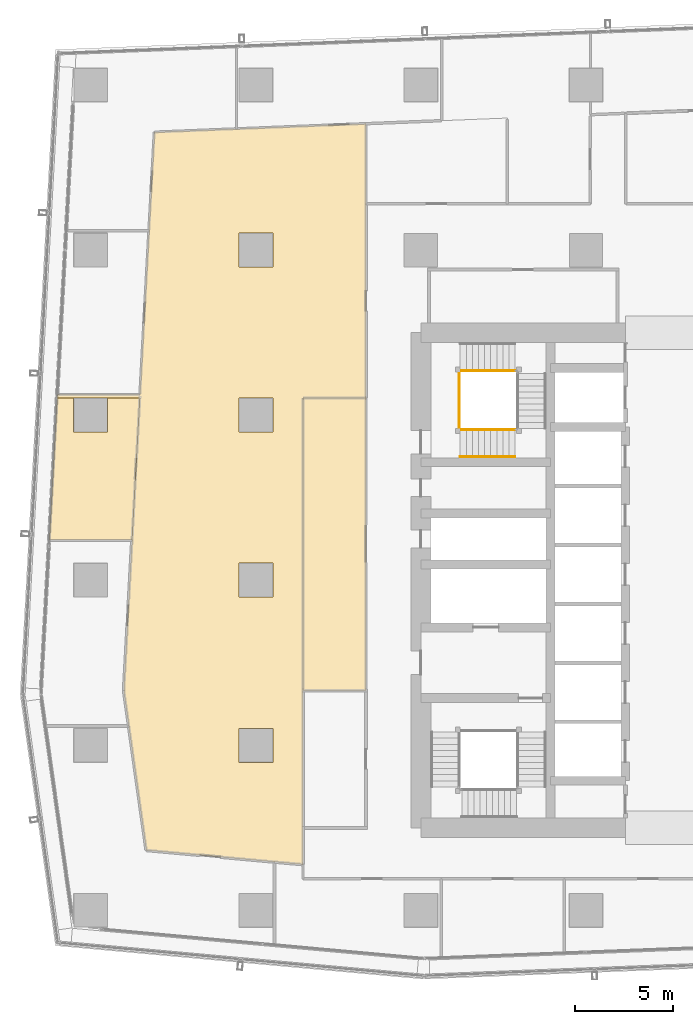
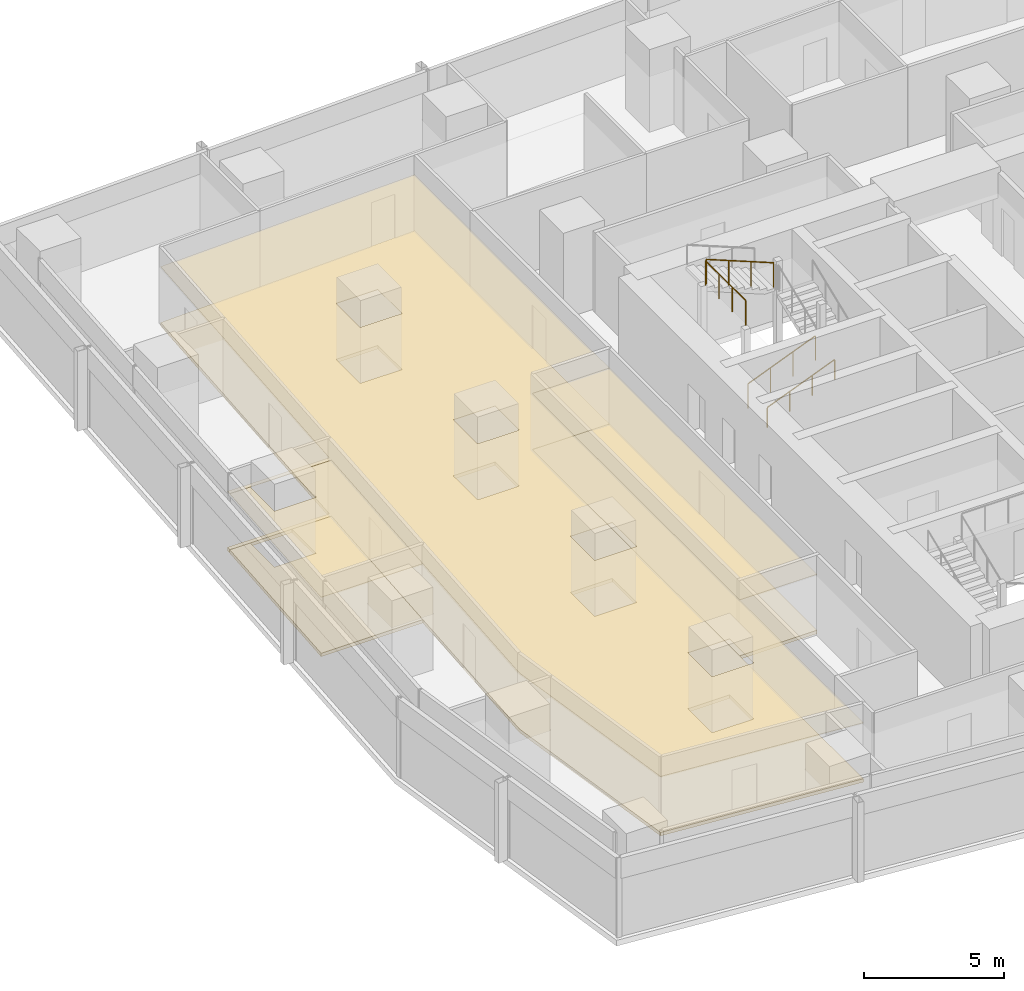
# One storey, part 35 of 40: 6 coverings, 4 railings.
"""IFC4 building model written with IfcOpenShell, lengths in metres."""

from ifc_helpers import new_model, si_unit, direction, frame, origin, origin_2d, place, context, subcontext, project, spatial, polyline, circle, outline, extrude, material, layer, layer_set, type_object, element, save


model = new_model("IFC4")

# Units and contexts
model_context = context("Model", 3, precision=1e-05, world=origin(), true_north=direction((0.0, 1.0)))
body_context = subcontext(model_context, "Body", "Model", "MODEL_VIEW")
ifc_project = project(units=[si_unit("LENGTHUNIT", "METRE"), si_unit("AREAUNIT", "SQUARE_METRE"), si_unit("VOLUMEUNIT", "CUBIC_METRE"), si_unit("PLANEANGLEUNIT", "RADIAN"), si_unit("MASSUNIT", "GRAM", prefix="KILO")], contexts=[model_context])

# Site, building, storey
site_placement = place(None, origin())
site = spatial("IfcSite", under=ifc_project, at=site_placement, CompositionType="ELEMENT")
building_placement = place(site_placement, origin())
building = spatial("IfcBuilding", under=site, at=building_placement, Name="Rekha Terrace Tower", CompositionType="ELEMENT")
storey_placement = place(building_placement, frame((0.0, 0.0, 121.550048828125)))
storey = spatial("IfcBuildingStorey", under=building, at=storey_placement, Name="L30", CompositionType="ELEMENT", Elevation=121.550048828125)

# Coverings
ifc_material_1 = material(Name="Mineral fibre tile in exposed grid", Category="finish")
ifc_layer_1 = layer(ifc_material_1, 0.02001953125)
ifc_layer_set_1 = layer_set([ifc_layer_1], Name="Mineral fibre tile in exposed grid")
covering_type_1 = type_object("IfcCoveringType", Name="CL1 600x1200 office grid ceiling", PredefinedType="CEILING", material=ifc_layer_set_1)
covering_1_placement = place(storey_placement, frame((0.0, 0.0, 2.579833984375)))
element("IfcCovering", 1, at=covering_1_placement, inside=storey, type_object=covering_type_1, Name="Ceiling L30-O1c", PredefinedType="CEILING", context=body_context, shape_type="SweptSolid", body=[
    extrude(outline(polyline([(10.080078125, 27.992919921875), (10.3359375, 26.177001953125), (11.22607421875, 19.862060546875), (17.7529296875, 19.26904296875), (19.199951171875, 19.137939453125), (19.199951171875, 42.873046875), (22.39990234375, 42.873046875), (22.39990234375, 56.830078125), (15.799072265625, 56.56494140625), (11.637939453125, 56.39794921875), (11.362060546875, 51.3779296875), (10.905029296875, 43.0458984375), (6.698974609375, 43.0458984375), (6.68994140625, 42.873046875), (10.89599609375, 42.873046875), (10.4990234375, 35.634033203125), (10.080078125, 27.992919921875)]), holes=[polyline([(17.6650390625, 26.06494140625), (17.6650390625, 24.3349609375), (15.93505859375, 24.3349609375), (15.93505859375, 26.06494140625), (17.6650390625, 26.06494140625)]), polyline([(17.6650390625, 34.465087890625), (17.6650390625, 32.735107421875), (15.93505859375, 32.735107421875), (15.93505859375, 34.465087890625), (17.6650390625, 34.465087890625)]), polyline([(17.6650390625, 41.135009765625), (15.93505859375, 41.135009765625), (15.93505859375, 42.864990234375), (17.6650390625, 42.864990234375), (17.6650390625, 41.135009765625)]), polyline([(17.6650390625, 49.534912109375), (15.93505859375, 49.534912109375), (15.93505859375, 51.264892578125), (17.6650390625, 51.264892578125), (17.6650390625, 49.534912109375)])]), origin(), (0.0, 0.0, 1.0), 0.02001953125),
])
covering_2_placement = place(storey_placement, frame((0.0, 0.0, 2.579833984375)))
element("IfcCovering", 2, at=covering_2_placement, inside=storey, type_object=covering_type_1, Name="Ceiling L30-19", PredefinedType="CEILING", context=body_context, shape_type="SweptSolid", body=[
    extrude(outline(polyline([(9.264892578125, 41.135009765625), (7.534912109375, 41.135009765625), (7.534912109375, 42.8720703125), (6.68994140625, 42.8720703125), (6.29296875, 35.635009765625), (10.4990234375, 35.635009765625), (10.89599609375, 42.8720703125), (9.264892578125, 42.8720703125), (9.264892578125, 41.135009765625)])), origin(), (0.0, 0.0, 1.0), 0.02001953125),
])
covering_3_placement = place(storey_placement, frame((0.0, 0.0, 2.579833984375)))
element("IfcCovering", 3, at=covering_3_placement, inside=storey, type_object=covering_type_1, Name="Ceiling L30-25", PredefinedType="CEILING", context=body_context, shape_type="SweptSolid", body=[
    extrude(outline(polyline([(19.199951171875, 42.8720703125), (19.199951171875, 28.0), (22.39990234375, 28.0), (22.39990234375, 42.8720703125), (19.199951171875, 42.8720703125)])), origin(), (0.0, 0.0, 1.0), 0.02001953125),
])

# Railings
ifc_material_2 = material(Name="Stainless steel balustrade", Category="steel")
railing_type_1 = type_object("IfcRailingType", Name="GR1 1100 stair guard", PredefinedType="GUARDRAIL", material=ifc_material_2)
railing_1_placement = place(storey_placement, frame((27.199951171875, 41.264892578125, 0.125)))
element("IfcRailing", 4, at=railing_1_placement, inside=storey, type_object=railing_type_1, Name="Guard ST4 L30 flight 1", PredefinedType="GUARDRAIL", context=body_context, shape_type="SweptSolid", body=[
    extrude(circle(Radius=0.02392578125, at=origin_2d()), frame((0.0, 0.0, 1.076171875), z_axis=(0.927443287984, 0.0, 0.373963831907), x_axis=(0.0, 1.0, 0.0)), (0.0, 0.0, 1.0), 3.00830078125),
    extrude(circle(Radius=0.02099609375, at=origin_2d()), origin(), (0.0, 0.0, 1.0), 1.052001953125),
    extrude(circle(Radius=0.02099609375, at=origin_2d()), frame((0.929931640625, 0.0, 0.375)), (0.0, 0.0, 1.0), 1.052001953125),
    extrude(circle(Radius=0.02099609375, at=origin_2d()), frame((1.860107421875, 0.0, 0.75)), (0.0, 0.0, 1.0), 1.052001953125),
    extrude(circle(Radius=0.02099609375, at=origin_2d()), frame((2.7900390625, 0.0, 1.125)), (0.0, 0.0, 1.0), 1.052001953125),
])
railing_2_placement = place(storey_placement, frame((29.989990234375, 44.260009765625, 2.625)))
element("IfcRailing", 5, at=railing_2_placement, inside=storey, type_object=railing_type_1, Name="Guard ST4 L30 flight 3", PredefinedType="GUARDRAIL", context=body_context, shape_type="SweptSolid", body=[
    extrude(circle(Radius=0.02392578125, at=origin_2d()), frame((0.0, 0.0, 1.076171875), z_axis=(-0.927443287984, 0.0, 0.373963831907), x_axis=(0.0, -1.0, 0.0)), (0.0, 0.0, 1.0), 3.00830078125),
    extrude(circle(Radius=0.02099609375, at=origin_2d()), origin(), (0.0, 0.0, 1.0), 1.052001953125),
    extrude(circle(Radius=0.02099609375, at=origin_2d()), frame((-0.929931640625, 0.0, 0.375)), (0.0, 0.0, 1.0), 1.052001953125),
    extrude(circle(Radius=0.02099609375, at=origin_2d()), frame((-1.860107421875, 0.0, 0.75)), (0.0, 0.0, 1.0), 1.052001953125),
    extrude(circle(Radius=0.02099609375, at=origin_2d()), frame((-2.7900390625, 0.0, 1.125)), (0.0, 0.0, 1.0), 1.052001953125),
])
railing_3_placement = place(storey_placement, frame((27.139892578125, 41.324951171875, 3.75)))
element("IfcRailing", 6, at=railing_3_placement, inside=storey, type_object=railing_type_1, Name="Guard ST4 L30 landing 4", PredefinedType="GUARDRAIL", context=body_context, shape_type="SweptSolid", body=[
    extrude(circle(Radius=0.02392578125, at=origin_2d()), frame((0.0, 0.0, 1.076171875), z_axis=(0.0, 1.0, 0.0), x_axis=(-1.0, 0.0, 0.0)), (0.0, 0.0, 1.0), 2.875),
    extrude(circle(Radius=0.02099609375, at=origin_2d()), origin(), (0.0, 0.0, 1.0), 1.052001953125),
    extrude(circle(Radius=0.02099609375, at=origin_2d()), frame((0.0, 0.958251953125, 0.0)), (0.0, 0.0, 1.0), 1.052001953125),
    extrude(circle(Radius=0.02099609375, at=origin_2d()), frame((0.0, 1.916748046875, 0.0)), (0.0, 0.0, 1.0), 1.052001953125),
    extrude(circle(Radius=0.02099609375, at=origin_2d()), frame((0.0, 2.875, 0.0)), (0.0, 0.0, 1.0), 1.052001953125),
])
ifc_material_3 = material(Name="Stainless steel tube", Category="steel")
railing_type_2 = type_object("IfcRailingType", Name="HR1 900 stair handrail", PredefinedType="HANDRAIL", material=ifc_material_3)
railing_4_placement = place(storey_placement, frame((27.199951171875, 39.885009765625, 0.125)))
element("IfcRailing", 7, at=railing_4_placement, inside=storey, type_object=railing_type_2, Name="Handrail ST4 L30 flight 1", PredefinedType="HANDRAIL", context=body_context, shape_type="SweptSolid", body=[
    extrude(circle(Radius=0.02392578125, at=origin_2d()), frame((0.0, 0.0, 0.8759765625), z_axis=(0.927443287984, 0.0, 0.373963831907), x_axis=(0.0, 1.0, 0.0)), (0.0, 0.0, 1.0), 3.00830078125),
    extrude(circle(Radius=0.02099609375, at=origin_2d()), origin(), (0.0, 0.0, 1.0), 0.851806640625),
    extrude(circle(Radius=0.02099609375, at=origin_2d()), frame((0.929931640625, 0.0, 0.375)), (0.0, 0.0, 1.0), 0.851806640625),
    extrude(circle(Radius=0.02099609375, at=origin_2d()), frame((1.860107421875, 0.0, 0.75)), (0.0, 0.0, 1.0), 0.851806640625),
    extrude(circle(Radius=0.02099609375, at=origin_2d()), frame((2.7900390625, 0.0, 1.125)), (0.0, 0.0, 1.0), 0.851806640625),
])

# Coverings
ifc_material_4 = material(Name="Calcium sulphate panels on steel pedestals", Category="steel")
ifc_layer_2 = layer(ifc_material_4, 0.14990234375)
ifc_layer_set_2 = layer_set([ifc_layer_2], Name="Calcium sulphate panels on steel pedestals")
covering_type_2 = type_object("IfcCoveringType", Name="RF1 150 raised access floor", PredefinedType="FLOORING", material=ifc_layer_set_2)
covering_4_placement = place(storey_placement, origin())
element("IfcCovering", 8, at=covering_4_placement, inside=storey, type_object=covering_type_2, Name="Raised floor L30-O1c", PredefinedType="FLOORING", context=body_context, shape_type="SweptSolid", body=[
    extrude(outline(polyline([(10.080078125, 27.992919921875), (10.3359375, 26.177001953125), (11.22607421875, 19.862060546875), (17.7529296875, 19.26904296875), (19.199951171875, 19.137939453125), (19.199951171875, 42.873046875), (22.39990234375, 42.873046875), (22.39990234375, 56.830078125), (15.799072265625, 56.56494140625), (11.637939453125, 56.39794921875), (11.362060546875, 51.3779296875), (10.905029296875, 43.0458984375), (6.698974609375, 43.0458984375), (6.68994140625, 42.873046875), (10.89599609375, 42.873046875), (10.4990234375, 35.634033203125), (10.080078125, 27.992919921875)]), holes=[polyline([(17.6650390625, 26.06494140625), (17.6650390625, 24.3349609375), (15.93505859375, 24.3349609375), (15.93505859375, 26.06494140625), (17.6650390625, 26.06494140625)]), polyline([(17.6650390625, 34.465087890625), (17.6650390625, 32.735107421875), (15.93505859375, 32.735107421875), (15.93505859375, 34.465087890625), (17.6650390625, 34.465087890625)]), polyline([(17.6650390625, 41.135009765625), (15.93505859375, 41.135009765625), (15.93505859375, 42.864990234375), (17.6650390625, 42.864990234375), (17.6650390625, 41.135009765625)]), polyline([(17.6650390625, 49.534912109375), (15.93505859375, 49.534912109375), (15.93505859375, 51.264892578125), (17.6650390625, 51.264892578125), (17.6650390625, 49.534912109375)])]), origin(), (0.0, 0.0, 1.0), 0.14990234375),
])
covering_5_placement = place(storey_placement, origin())
element("IfcCovering", 9, at=covering_5_placement, inside=storey, type_object=covering_type_2, Name="Raised floor L30-19", PredefinedType="FLOORING", context=body_context, shape_type="SweptSolid", body=[
    extrude(outline(polyline([(9.264892578125, 41.135009765625), (7.534912109375, 41.135009765625), (7.534912109375, 42.8720703125), (6.68994140625, 42.8720703125), (6.29296875, 35.635009765625), (10.4990234375, 35.635009765625), (10.89599609375, 42.8720703125), (9.264892578125, 42.8720703125), (9.264892578125, 41.135009765625)])), origin(), (0.0, 0.0, 1.0), 0.14990234375),
])
covering_6_placement = place(storey_placement, origin())
element("IfcCovering", 10, at=covering_6_placement, inside=storey, type_object=covering_type_2, Name="Raised floor L30-25", PredefinedType="FLOORING", context=body_context, shape_type="SweptSolid", body=[
    extrude(outline(polyline([(19.199951171875, 42.8720703125), (19.199951171875, 28.0), (22.39990234375, 28.0), (22.39990234375, 42.8720703125), (19.199951171875, 42.8720703125)])), origin(), (0.0, 0.0, 1.0), 0.14990234375),
])

save(model, "model.ifc")
